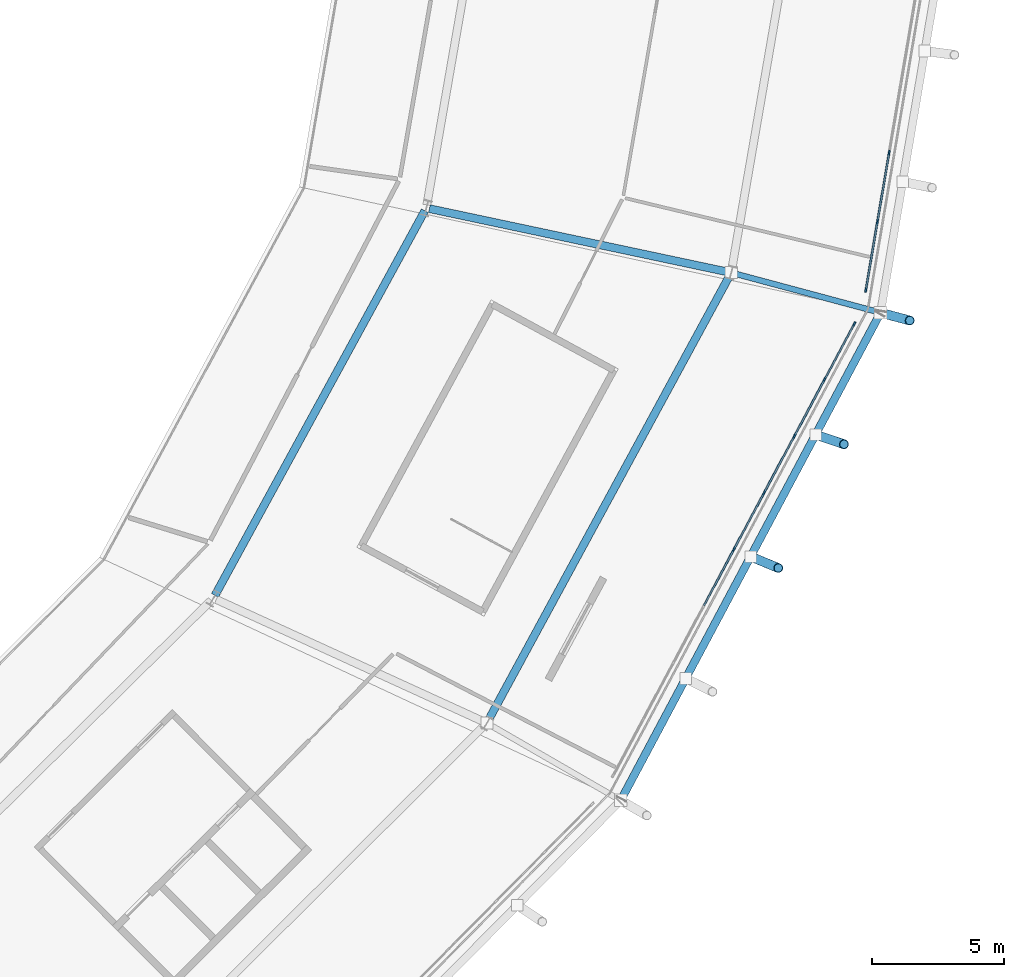
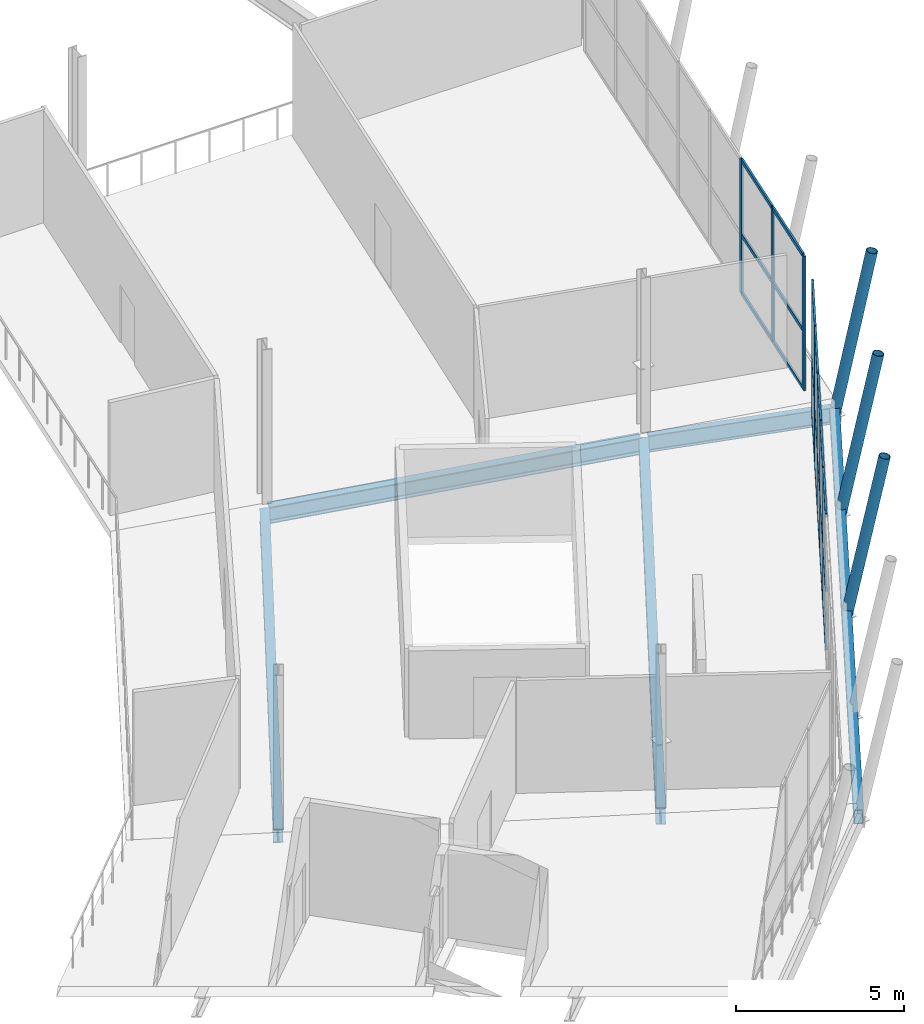
# One storey, part 37 of 99: 32 members, 5 beams, 2 elements without a shape of their own.
"""IFC4 building model written with IfcOpenShell, lengths in metres."""

import ifcopenshell
import ifcopenshell.guid

model = None  # the IFC model being written
_history = None  # IfcOwnerHistory: only IFC2X3 demands one
_inside = {}  # id of a spatial element -> (the spatial element, [elements in it])
_under = {}  # id of a project, library or spatial element -> (it, [spatial elements below it])
_declared = {}  # id of a project -> (the project, [libraries it declares])
_typed = {}  # id of a type object -> (the type object, [elements of that type])
_made_of = {}  # id of a material, layer set ... -> (it, [elements and type objects made of it])


def new_model(schema):
    """Start an empty IFC model of exactly this schema.

    Asked for "IFC4X3", IfcOpenShell would pick the latest addendum, in which some entities
    have other attributes; the version numbers below select the first issue.
    IFC2X3 requires an IfcOwnerHistory on every rooted entity: one is made here for all.
    """
    global model, _history
    if schema == "IFC4X3":
        model = ifcopenshell.file(schema_version=(4, 3, 0, 0))
    else:
        model = ifcopenshell.file(schema=schema)
    _inside.clear()
    _under.clear()
    _declared.clear()
    _typed.clear()
    _made_of.clear()
    _history = None
    if model.schema == "IFC2X3":
        org = make("IfcOrganization", Name="unknown")
        user = make(
            "IfcPersonAndOrganization",
            ThePerson=make("IfcPerson", FamilyName="unknown"),
            TheOrganization=org,
        )
        app = make(
            "IfcApplication",
            ApplicationDeveloper=org,
            Version="unknown",
            ApplicationFullName="unknown",
            ApplicationIdentifier="unknown",
        )
        _history = make(
            "IfcOwnerHistory",
            OwningUser=user,
            OwningApplication=app,
            ChangeAction="ADDED",
            CreationDate=0,
        )
    return model


def make(cls, **values):
    """One entity of the class cls with the attributes given. An attribute that is None is left unset."""
    return model.create_entity(
        cls, **{name: value for name, value in values.items() if value is not None}
    )


def rooted(cls, **values):
    """An entity with a GlobalId (a new one), such as an element, a storey or a relation."""
    return make(cls, GlobalId=ifcopenshell.guid.new(), OwnerHistory=_history, **values)


def si_unit(unit_type, name, prefix=None):
    """IfcSIUnit, for example si_unit("LENGTHUNIT", "METRE", prefix="MILLI")."""
    return make("IfcSIUnit", UnitType=unit_type, Prefix=prefix, Name=name)


def assignment(units):
    """IfcUnitAssignment: the units of a project."""
    return None if units is None else make("IfcUnitAssignment", Units=units)


def point(xyz):
    """IfcCartesianPoint."""
    return None if xyz is None else make("IfcCartesianPoint", Coordinates=xyz)


def direction(xyz):
    """IfcDirection."""
    return None if xyz is None else make("IfcDirection", DirectionRatios=xyz)


def frame(location, z_axis=None, x_axis=None):
    """IfcAxis2Placement3D, a coordinate frame: its origin and axes. An axis left out is left unset."""
    return make(
        "IfcAxis2Placement3D",
        Location=point(location),
        Axis=direction(z_axis),
        RefDirection=direction(x_axis),
    )


def frame_2d(location, x_axis=None):
    """IfcAxis2Placement2D, a coordinate frame in the plane: its origin and x axis."""
    return make(
        "IfcAxis2Placement2D", Location=point(location), RefDirection=direction(x_axis)
    )


def origin():
    """The frame at (0, 0, 0) with its axes left unset."""
    return frame((0.0, 0.0, 0.0))


def origin_2d():
    """The frame at (0, 0) in the plane with its x axis left unset."""
    return frame_2d((0.0, 0.0))


def place(relative_to, where):
    """IfcLocalPlacement: puts the frame where relative to a parent placement (None: the world)."""
    return make(
        "IfcLocalPlacement", PlacementRelTo=relative_to, RelativePlacement=where
    )


def context(
    kind, dimensions, precision=None, world=None, true_north=None, identifier=None
):
    """IfcGeometricRepresentationContext, for example the 3D "Model" context."""
    return make(
        "IfcGeometricRepresentationContext",
        ContextIdentifier=identifier,
        ContextType=kind,
        CoordinateSpaceDimension=dimensions,
        Precision=precision,
        WorldCoordinateSystem=world,
        TrueNorth=true_north,
    )


def subcontext(parent, identifier, kind, view, scale=None):
    """IfcGeometricRepresentationSubContext, for example "Body" below "Model"."""
    return make(
        "IfcGeometricRepresentationSubContext",
        ContextIdentifier=identifier,
        ContextType=kind,
        ParentContext=parent,
        TargetScale=scale,
        TargetView=view,
    )


def project(units=None, contexts=None):
    """IfcProject with its units and contexts."""
    return rooted(
        "IfcProject",
        Name="project",
        RepresentationContexts=contexts,
        UnitsInContext=assignment(units),
    )


def spatial(cls, under=None, at=None, **own):
    """A site, building, storey or space (cls), placed at a placement, below another one or the project."""
    s = rooted(cls, ObjectPlacement=at, **own)
    if under is not None:
        _under.setdefault(under.id(), (under, []))[1].append(s)
    return s


def profile(cls, at=None, kind="AREA", **sizes):
    """A parametric profile (cls). Its sizes go by their IFC names, for example OverallWidth=200.0."""
    return make(cls, ProfileType=kind, Position=at, **sizes)


def rectangle(**sizes):
    """IfcRectangleProfileDef."""
    return profile("IfcRectangleProfileDef", **sizes)


def hollow_rectangle(**sizes):
    """IfcRectangleHollowProfileDef."""
    return profile("IfcRectangleHollowProfileDef", **sizes)


def hollow_circle(**sizes):
    """IfcCircleHollowProfileDef."""
    return profile("IfcCircleHollowProfileDef", **sizes)


def i_section(**sizes):
    """IfcIShapeProfileDef."""
    return profile("IfcIShapeProfileDef", **sizes)


def extrude(swept, where, along, depth):
    """IfcExtrudedAreaSolid: the profile swept, set in the frame where, extruded along a direction by depth."""
    return make(
        "IfcExtrudedAreaSolid",
        SweptArea=swept,
        Position=where,
        ExtrudedDirection=direction(along),
        Depth=depth,
    )


def shape(context_of_items, identifier, shape_type, items):
    """IfcShapeRepresentation: the items that make up one representation, for example the "Body"."""
    return make(
        "IfcShapeRepresentation",
        ContextOfItems=context_of_items,
        RepresentationIdentifier=identifier,
        RepresentationType=shape_type,
        Items=items,
    )


def material(Name=None, Category=None):
    """IfcMaterial."""
    return make("IfcMaterial", Name=Name, Category=Category)


def material_profile(
    of_material, cross_section, Name=None, Category=None, Priority=None
):
    """IfcMaterialProfile: a cross section and its material."""
    return make(
        "IfcMaterialProfile",
        Name=Name,
        Material=of_material,
        Profile=cross_section,
        Priority=Priority,
        Category=Category,
    )


def profile_set(profiles, Name=None, composite=None):
    """IfcMaterialProfileSet."""
    return make(
        "IfcMaterialProfileSet",
        Name=Name,
        MaterialProfiles=profiles,
        CompositeProfile=composite,
    )


def made_of(thing, what):
    """Note that an element or type object is made of a material, layer set ...; save() writes the relation."""
    if what is not None:
        _made_of.setdefault(what.id(), (what, []))[1].append(thing)
    return thing


def type_object(cls, material=None, **own):
    """A type object (cls), such as IfcWallType, which elements share."""
    return made_of(rooted(cls, **own), material)


def element(
    cls,
    number,
    at=None,
    inside=None,
    cuts=None,
    type_object=None,
    material=None,
    context=None,
    identifier="Body",
    shape_type=None,
    held_by="IfcProductDefinitionShape",
    body=None,
    shapes=None,
    **own,
):
    """One element of the class cls, such as IfcWall. Its Tag is "e" and its number.

    at: its placement. inside: the storey or other place that contains it. cuts: it is an
    opening in that element (IfcRelVoidsElement). A single representation is given by context,
    identifier, shape_type and body (its items); several are given by shapes. held_by: the class
    of the entity that holds the representations. save() writes the other relations.
    """
    e = rooted(cls, Tag="e%d" % number, ObjectPlacement=at, **own)
    if body is not None:
        shapes = [shape(context, identifier, shape_type, body)]
    if shapes is not None:
        e.Representation = make(held_by, Representations=shapes)
    if inside is not None:
        _inside.setdefault(inside.id(), (inside, []))[1].append(e)
    if cuts is not None:
        rooted(
            "IfcRelVoidsElement", RelatingBuildingElement=cuts, RelatedOpeningElement=e
        )
    if type_object is not None:
        _typed.setdefault(type_object.id(), (type_object, []))[1].append(e)
    return made_of(e, material)


def aggregate(whole, parts):
    """IfcRelAggregates: a whole, such as a stair, and the parts it consists of."""
    return rooted("IfcRelAggregates", RelatingObject=whole, RelatedObjects=parts)


def save(model, path):
    """Write the relations noted so far, then the file.

    IfcRelAggregates (storeys below a building ...), IfcRelContainedInSpatialStructure (elements
    in a storey), IfcRelDefinesByType, IfcRelAssociatesMaterial and IfcRelDeclares: one each for
    every whole, place, type object, material and project.
    """
    for whole, parts in _under.values():
        aggregate(whole, parts)
    for where, things in _inside.values():
        rooted(
            "IfcRelContainedInSpatialStructure",
            RelatedElements=things,
            RelatingStructure=where,
        )
    for kind, things in _typed.values():
        rooted("IfcRelDefinesByType", RelatedObjects=things, RelatingType=kind)
    for what, things in _made_of.values():
        rooted("IfcRelAssociatesMaterial", RelatedObjects=things, RelatingMaterial=what)
    for by, libraries in _declared.values():
        rooted("IfcRelDeclares", RelatingContext=by, RelatedDefinitions=libraries)
    model.write(path)


model = new_model("IFC4")

# Units and contexts
model_context = context("Model", 3, precision=1e-05, world=origin(), true_north=direction((0.0, 1.0)))
body_context = subcontext(model_context, "Body", "Model", "MODEL_VIEW")
ifc_project = project(units=[si_unit("LENGTHUNIT", "METRE"), si_unit("AREAUNIT", "SQUARE_METRE"), si_unit("VOLUMEUNIT", "CUBIC_METRE"), si_unit("PLANEANGLEUNIT", "RADIAN"), si_unit("MASSUNIT", "GRAM", prefix="KILO")], contexts=[model_context])

# Site, building, storey
site_placement = place(None, origin())
site = spatial("IfcSite", under=ifc_project, at=site_placement, CompositionType="ELEMENT")
building_placement = place(site_placement, origin())
building = spatial("IfcBuilding", under=site, at=building_placement, Name="Zlatoyarsky Gate Stadium", CompositionType="ELEMENT")
storey_placement = place(building_placement, frame((0.0, 0.0, 26.199951171875)))
storey = spatial("IfcBuildingStorey", under=building, at=storey_placement, Name="L05", CompositionType="ELEMENT", Elevation=26.199951171875)

# Curtain wall, members
ifc_material_1 = material(Name="Thermally broken anodised aluminium curtain wall", Category="aluminium")
curtain_wall_type = type_object("IfcCurtainWallType", Name="UNITISED SKYBOX RING GLAZING L05", PredefinedType="USERDEFINED", material=ifc_material_1)
curtain_wall_1_placement = place(storey_placement, origin())
curtain_wall_1 = element("IfcCurtainWall", 1, at=curtain_wall_1_placement, inside=storey, type_object=curtain_wall_type, Name="Curtain wall CW-L05-22", ObjectType="UNITISED GLAZING", PredefinedType="USERDEFINED")
ifc_material_2 = material(Name="Anodised aluminium 6063-T6", Category="aluminium")
ifc_material_profile_1 = material_profile(ifc_material_2, rectangle(XDim=0.06494140625, YDim=0.159912109375, at=origin_2d()), Name="ALU 65X160")
ifc_profile_set_1 = profile_set([ifc_material_profile_1], Name="Anodised aluminium 6063-T6")
member_type_1 = type_object("IfcMemberType", Name="ALUMINIUM MULLION 65X160", PredefinedType="MULLION", material=ifc_profile_set_1)
member_1_placement = place(storey_placement, frame((200.9287109375, 51.097412109375, 0.0), z_axis=(0.0, 0.0, 1.0), x_axis=(-0.882167873962, 0.470935072117, 0.0)))
member_1 = element("IfcMember", 2, at=member_1_placement, type_object=member_type_1, Name="CW-UG5 mullion 5", PredefinedType="MULLION", context=body_context, shape_type="SweptSolid", body=[
    extrude(rectangle(XDim=0.06494140625, YDim=0.159912109375, at=origin_2d()), origin(), (0.0, 0.0, 1.0), 4.880126953125),
])
member_2_placement = place(storey_placement, frame((202.078125, 53.25048828125, 0.0), z_axis=(0.0, 0.0, 1.0), x_axis=(-0.882167873962, 0.470935072117, 0.0)))
member_2 = element("IfcMember", 3, at=member_2_placement, type_object=member_type_1, Name="CW-UG5 mullion 6", PredefinedType="MULLION", context=body_context, shape_type="SweptSolid", body=[
    extrude(rectangle(XDim=0.06494140625, YDim=0.159912109375, at=origin_2d()), origin(), (0.0, 0.0, 1.0), 4.880126953125),
])
member_3_placement = place(storey_placement, frame((203.227783203125, 55.40380859375, 0.0), z_axis=(0.0, 0.0, 1.0), x_axis=(-0.882167873962, 0.470935072117, 0.0)))
member_3 = element("IfcMember", 4, at=member_3_placement, type_object=member_type_1, Name="CW-UG5 mullion 7", PredefinedType="MULLION", context=body_context, shape_type="SweptSolid", body=[
    extrude(rectangle(XDim=0.06494140625, YDim=0.159912109375, at=origin_2d()), origin(), (0.0, 0.0, 1.0), 4.880126953125),
])
member_4_placement = place(storey_placement, frame((204.377197265625, 57.55712890625, 0.0), z_axis=(0.0, 0.0, 1.0), x_axis=(-0.882167873962, 0.470935072117, 0.0)))
member_4 = element("IfcMember", 5, at=member_4_placement, type_object=member_type_1, Name="CW-UG5 mullion 8", PredefinedType="MULLION", context=body_context, shape_type="SweptSolid", body=[
    extrude(rectangle(XDim=0.06494140625, YDim=0.159912109375, at=origin_2d()), origin(), (0.0, 0.0, 1.0), 4.880126953125),
])
member_5_placement = place(storey_placement, frame((205.511474609375, 59.681640625, 0.0), z_axis=(0.0, 0.0, 1.0), x_axis=(-0.882167873962, 0.470935072117, 0.0)))
member_5 = element("IfcMember", 6, at=member_5_placement, type_object=member_type_1, Name="CW-UG5 mullion 9", PredefinedType="MULLION", context=body_context, shape_type="SweptSolid", body=[
    extrude(rectangle(XDim=0.06494140625, YDim=0.159912109375, at=origin_2d()), origin(), (0.0, 0.0, 1.0), 4.880126953125),
])

curtain_wall_2_placement = place(storey_placement, origin())
curtain_wall_2 = element("IfcCurtainWall", 7, at=curtain_wall_2_placement, inside=storey, type_object=curtain_wall_type, Name="Curtain wall CW-L05-23", ObjectType="UNITISED GLAZING", PredefinedType="USERDEFINED")
member_6_placement = place(storey_placement, frame((205.947021484375, 60.95654296875, 0.0), z_axis=(0.0, 0.0, 1.0), x_axis=(-0.985908807049, 0.167283663824, 0.0)))
member_6 = element("IfcMember", 8, at=member_6_placement, type_object=member_type_1, Name="CW-UG5 mullion 1", PredefinedType="MULLION", context=body_context, shape_type="SweptSolid", body=[
    extrude(rectangle(XDim=0.06494140625, YDim=0.159912109375, at=origin_2d()), origin(), (0.0, 0.0, 1.0), 4.880126953125),
])
member_7_placement = place(storey_placement, frame((206.388427734375, 63.55810546875, 0.0), z_axis=(0.0, 0.0, 1.0), x_axis=(-0.985908807049, 0.167283663824, 0.0)))
member_7 = element("IfcMember", 9, at=member_7_placement, type_object=member_type_1, Name="CW-UG5 mullion 2", PredefinedType="MULLION", context=body_context, shape_type="SweptSolid", body=[
    extrude(rectangle(XDim=0.06494140625, YDim=0.159912109375, at=origin_2d()), origin(), (0.0, 0.0, 1.0), 4.880126953125),
])
member_8_placement = place(storey_placement, frame((206.835205078125, 66.191650390625, 0.0), z_axis=(0.0, 0.0, 1.0), x_axis=(-0.985908807049, 0.167283663824, 0.0)))
member_8 = element("IfcMember", 10, at=member_8_placement, type_object=member_type_1, Name="CW-UG5 mullion 3", PredefinedType="MULLION", context=body_context, shape_type="SweptSolid", body=[
    extrude(rectangle(XDim=0.06494140625, YDim=0.159912109375, at=origin_2d()), origin(), (0.0, 0.0, 1.0), 4.880126953125),
])

# Member
ifc_material_profile_2 = material_profile(ifc_material_2, rectangle(XDim=0.06494140625, YDim=0.139892578125, at=origin_2d()), Name="ALU 65X140")
ifc_profile_set_2 = profile_set([ifc_material_profile_2], Name="Anodised aluminium 6063-T6")
member_type_2 = type_object("IfcMemberType", Name="ALUMINIUM TRANSOM 65X140", PredefinedType="USERDEFINED", material=ifc_profile_set_2)
member_9_placement = place(storey_placement, frame((199.794677734375, 48.97265625, 0.032470703125), z_axis=(0.470854896859, 0.882210669911, 0.0), x_axis=(-0.882210669911, 0.470854896859, 0.0)))
member_9 = element("IfcMember", 11, at=member_9_placement, type_object=member_type_2, Name="CW-UG5 transom 4.1", ObjectType="TRANSOM", PredefinedType="USERDEFINED", context=body_context, shape_type="SweptSolid", body=[
    extrude(rectangle(XDim=0.06494140625, YDim=0.139892578125, at=origin_2d()), origin(), (0.0, 0.0, 1.0), 2.375732421875),
])

member_10_placement = place(storey_placement, frame((199.794677734375, 48.97265625, 2.150146484375), z_axis=(0.470854896859, 0.882210669911, 0.0), x_axis=(-0.882210669911, 0.470854896859, 0.0)))
member_10 = element("IfcMember", 12, at=member_10_placement, type_object=member_type_2, Name="CW-UG5 transom 4.2", ObjectType="TRANSOM", PredefinedType="USERDEFINED", context=body_context, shape_type="SweptSolid", body=[
    extrude(rectangle(XDim=0.06494140625, YDim=0.139892578125, at=origin_2d()), origin(), (0.0, 0.0, 1.0), 2.375732421875),
])

member_11_placement = place(storey_placement, frame((199.794677734375, 48.97265625, 4.84765625), z_axis=(0.470854896859, 0.882210669911, 0.0), x_axis=(-0.882210669911, 0.470854896859, 0.0)))
member_11 = element("IfcMember", 13, at=member_11_placement, type_object=member_type_2, Name="CW-UG5 transom 4.3", ObjectType="TRANSOM", PredefinedType="USERDEFINED", context=body_context, shape_type="SweptSolid", body=[
    extrude(rectangle(XDim=0.06494140625, YDim=0.139892578125, at=origin_2d()), origin(), (0.0, 0.0, 1.0), 2.375732421875),
])

member_12_placement = place(storey_placement, frame((200.944091796875, 51.1259765625, 0.032470703125), z_axis=(0.470934870173, 0.882167981767, 0.0), x_axis=(-0.882167981767, 0.470934870173, 0.0)))
member_12 = element("IfcMember", 14, at=member_12_placement, type_object=member_type_2, Name="CW-UG5 transom 5.1", ObjectType="TRANSOM", PredefinedType="USERDEFINED", context=body_context, shape_type="SweptSolid", body=[
    extrude(rectangle(XDim=0.06494140625, YDim=0.139892578125, at=origin_2d()), origin(), (0.0, 0.0, 1.0), 2.3759765625),
])

member_13_placement = place(storey_placement, frame((200.944091796875, 51.1259765625, 2.150146484375), z_axis=(0.470934870173, 0.882167981767, 0.0), x_axis=(-0.882167981767, 0.470934870173, 0.0)))
member_13 = element("IfcMember", 15, at=member_13_placement, type_object=member_type_2, Name="CW-UG5 transom 5.2", ObjectType="TRANSOM", PredefinedType="USERDEFINED", context=body_context, shape_type="SweptSolid", body=[
    extrude(rectangle(XDim=0.06494140625, YDim=0.139892578125, at=origin_2d()), origin(), (0.0, 0.0, 1.0), 2.3759765625),
])

member_14_placement = place(storey_placement, frame((200.944091796875, 51.1259765625, 4.84765625), z_axis=(0.470934870173, 0.882167981767, 0.0), x_axis=(-0.882167981767, 0.470934870173, 0.0)))
member_14 = element("IfcMember", 16, at=member_14_placement, type_object=member_type_2, Name="CW-UG5 transom 5.3", ObjectType="TRANSOM", PredefinedType="USERDEFINED", context=body_context, shape_type="SweptSolid", body=[
    extrude(rectangle(XDim=0.06494140625, YDim=0.139892578125, at=origin_2d()), origin(), (0.0, 0.0, 1.0), 2.3759765625),
])

member_15_placement = place(storey_placement, frame((202.093505859375, 53.279296875, 0.032470703125), z_axis=(0.470934870173, 0.882167981767, 0.0), x_axis=(-0.882167981767, 0.470934870173, 0.0)))
member_15 = element("IfcMember", 17, at=member_15_placement, type_object=member_type_2, Name="CW-UG5 transom 6.1", ObjectType="TRANSOM", PredefinedType="USERDEFINED", context=body_context, shape_type="SweptSolid", body=[
    extrude(rectangle(XDim=0.06494140625, YDim=0.139892578125, at=origin_2d()), origin(), (0.0, 0.0, 1.0), 2.3759765625),
])

member_16_placement = place(storey_placement, frame((202.093505859375, 53.279296875, 2.150146484375), z_axis=(0.470934870173, 0.882167981767, 0.0), x_axis=(-0.882167981767, 0.470934870173, 0.0)))
member_16 = element("IfcMember", 18, at=member_16_placement, type_object=member_type_2, Name="CW-UG5 transom 6.2", ObjectType="TRANSOM", PredefinedType="USERDEFINED", context=body_context, shape_type="SweptSolid", body=[
    extrude(rectangle(XDim=0.06494140625, YDim=0.139892578125, at=origin_2d()), origin(), (0.0, 0.0, 1.0), 2.3759765625),
])

member_17_placement = place(storey_placement, frame((202.093505859375, 53.279296875, 4.84765625), z_axis=(0.470934870173, 0.882167981767, 0.0), x_axis=(-0.882167981767, 0.470934870173, 0.0)))
member_17 = element("IfcMember", 19, at=member_17_placement, type_object=member_type_2, Name="CW-UG5 transom 6.3", ObjectType="TRANSOM", PredefinedType="USERDEFINED", context=body_context, shape_type="SweptSolid", body=[
    extrude(rectangle(XDim=0.06494140625, YDim=0.139892578125, at=origin_2d()), origin(), (0.0, 0.0, 1.0), 2.3759765625),
])

member_18_placement = place(storey_placement, frame((203.242919921875, 55.432373046875, 0.032470703125), z_axis=(0.470934870173, 0.882167981767, 0.0), x_axis=(-0.882167981767, 0.470934870173, 0.0)))
member_18 = element("IfcMember", 20, at=member_18_placement, type_object=member_type_2, Name="CW-UG5 transom 7.1", ObjectType="TRANSOM", PredefinedType="USERDEFINED", context=body_context, shape_type="SweptSolid", body=[
    extrude(rectangle(XDim=0.06494140625, YDim=0.139892578125, at=origin_2d()), origin(), (0.0, 0.0, 1.0), 2.3759765625),
])

member_19_placement = place(storey_placement, frame((203.242919921875, 55.432373046875, 2.150146484375), z_axis=(0.470934870173, 0.882167981767, 0.0), x_axis=(-0.882167981767, 0.470934870173, 0.0)))
member_19 = element("IfcMember", 21, at=member_19_placement, type_object=member_type_2, Name="CW-UG5 transom 7.2", ObjectType="TRANSOM", PredefinedType="USERDEFINED", context=body_context, shape_type="SweptSolid", body=[
    extrude(rectangle(XDim=0.06494140625, YDim=0.139892578125, at=origin_2d()), origin(), (0.0, 0.0, 1.0), 2.3759765625),
])

member_20_placement = place(storey_placement, frame((203.242919921875, 55.432373046875, 4.84765625), z_axis=(0.470934870173, 0.882167981767, 0.0), x_axis=(-0.882167981767, 0.470934870173, 0.0)))
member_20 = element("IfcMember", 22, at=member_20_placement, type_object=member_type_2, Name="CW-UG5 transom 7.3", ObjectType="TRANSOM", PredefinedType="USERDEFINED", context=body_context, shape_type="SweptSolid", body=[
    extrude(rectangle(XDim=0.06494140625, YDim=0.139892578125, at=origin_2d()), origin(), (0.0, 0.0, 1.0), 2.3759765625),
])

member_21_placement = place(storey_placement, frame((204.392578125, 57.585693359375, 0.032470703125), z_axis=(0.47089101284, 0.882191393081, 0.0), x_axis=(-0.882191393081, 0.47089101284, 0.0)))
member_21 = element("IfcMember", 23, at=member_21_placement, type_object=member_type_2, Name="CW-UG5 transom 8.1", ObjectType="TRANSOM", PredefinedType="USERDEFINED", context=body_context, shape_type="SweptSolid", body=[
    extrude(rectangle(XDim=0.06494140625, YDim=0.139892578125, at=origin_2d()), origin(), (0.0, 0.0, 1.0), 2.343505859375),
])

member_22_placement = place(storey_placement, frame((204.392578125, 57.585693359375, 2.150146484375), z_axis=(0.47089101284, 0.882191393081, 0.0), x_axis=(-0.882191393081, 0.47089101284, 0.0)))
member_22 = element("IfcMember", 24, at=member_22_placement, type_object=member_type_2, Name="CW-UG5 transom 8.2", ObjectType="TRANSOM", PredefinedType="USERDEFINED", context=body_context, shape_type="SweptSolid", body=[
    extrude(rectangle(XDim=0.06494140625, YDim=0.139892578125, at=origin_2d()), origin(), (0.0, 0.0, 1.0), 2.343505859375),
])

member_23_placement = place(storey_placement, frame((204.392578125, 57.585693359375, 4.84765625), z_axis=(0.47089101284, 0.882191393081, 0.0), x_axis=(-0.882191393081, 0.47089101284, 0.0)))
member_23 = element("IfcMember", 25, at=member_23_placement, type_object=member_type_2, Name="CW-UG5 transom 8.3", ObjectType="TRANSOM", PredefinedType="USERDEFINED", context=body_context, shape_type="SweptSolid", body=[
    extrude(rectangle(XDim=0.06494140625, YDim=0.139892578125, at=origin_2d()), origin(), (0.0, 0.0, 1.0), 2.343505859375),
])

aggregate(curtain_wall_1, [member_1, member_2, member_3, member_4, member_5, member_9, member_10, member_11, member_12, member_13, member_14, member_15, member_16, member_17, member_18, member_19, member_20, member_21, member_22, member_23])

member_24_placement = place(storey_placement, frame((205.952392578125, 60.988525390625, 0.032470703125), z_axis=(0.167244205598, 0.985915501295, 0.0), x_axis=(-0.985915501295, 0.167244205598, 0.0)))
member_24 = element("IfcMember", 26, at=member_24_placement, type_object=member_type_2, Name="CW-UG5 transom 1.1", ObjectType="TRANSOM", PredefinedType="USERDEFINED", context=body_context, shape_type="SweptSolid", body=[
    extrude(rectangle(XDim=0.06494140625, YDim=0.139892578125, at=origin_2d()), origin(), (0.0, 0.0, 1.0), 2.573486328125),
])

member_25_placement = place(storey_placement, frame((205.952392578125, 60.988525390625, 2.150146484375), z_axis=(0.167244205598, 0.985915501295, 0.0), x_axis=(-0.985915501295, 0.167244205598, 0.0)))
member_25 = element("IfcMember", 27, at=member_25_placement, type_object=member_type_2, Name="CW-UG5 transom 1.2", ObjectType="TRANSOM", PredefinedType="USERDEFINED", context=body_context, shape_type="SweptSolid", body=[
    extrude(rectangle(XDim=0.06494140625, YDim=0.139892578125, at=origin_2d()), origin(), (0.0, 0.0, 1.0), 2.573486328125),
])

member_26_placement = place(storey_placement, frame((205.952392578125, 60.988525390625, 4.84765625), z_axis=(0.167244205598, 0.985915501295, 0.0), x_axis=(-0.985915501295, 0.167244205598, 0.0)))
member_26 = element("IfcMember", 28, at=member_26_placement, type_object=member_type_2, Name="CW-UG5 transom 1.3", ObjectType="TRANSOM", PredefinedType="USERDEFINED", context=body_context, shape_type="SweptSolid", body=[
    extrude(rectangle(XDim=0.06494140625, YDim=0.139892578125, at=origin_2d()), origin(), (0.0, 0.0, 1.0), 2.573486328125),
])

member_27_placement = place(storey_placement, frame((206.393798828125, 63.590087890625, 0.032470703125), z_axis=(0.167315052867, 0.985903480613, 0.0), x_axis=(-0.985903480613, 0.167315052867, 0.0)))
member_27 = element("IfcMember", 29, at=member_27_placement, type_object=member_type_2, Name="CW-UG5 transom 2.1", ObjectType="TRANSOM", PredefinedType="USERDEFINED", context=body_context, shape_type="SweptSolid", body=[
    extrude(rectangle(XDim=0.06494140625, YDim=0.139892578125, at=origin_2d()), origin(), (0.0, 0.0, 1.0), 2.60595703125),
])

member_28_placement = place(storey_placement, frame((206.393798828125, 63.590087890625, 2.150146484375), z_axis=(0.167315052867, 0.985903480613, 0.0), x_axis=(-0.985903480613, 0.167315052867, 0.0)))
member_28 = element("IfcMember", 30, at=member_28_placement, type_object=member_type_2, Name="CW-UG5 transom 2.2", ObjectType="TRANSOM", PredefinedType="USERDEFINED", context=body_context, shape_type="SweptSolid", body=[
    extrude(rectangle(XDim=0.06494140625, YDim=0.139892578125, at=origin_2d()), origin(), (0.0, 0.0, 1.0), 2.60595703125),
])

member_29_placement = place(storey_placement, frame((206.393798828125, 63.590087890625, 4.84765625), z_axis=(0.167315052867, 0.985903480613, 0.0), x_axis=(-0.985903480613, 0.167315052867, 0.0)))
member_29 = element("IfcMember", 31, at=member_29_placement, type_object=member_type_2, Name="CW-UG5 transom 2.3", ObjectType="TRANSOM", PredefinedType="USERDEFINED", context=body_context, shape_type="SweptSolid", body=[
    extrude(rectangle(XDim=0.06494140625, YDim=0.139892578125, at=origin_2d()), origin(), (0.0, 0.0, 1.0), 2.60595703125),
])

aggregate(curtain_wall_2, [member_6, member_7, member_8, member_24, member_25, member_26, member_27, member_28, member_29])

# Beam
ifc_material_3 = material(Name="Steel S355", Category="steel")
ifc_material_profile_3 = material_profile(ifc_material_3, i_section(OverallWidth=0.219970703125, OverallDepth=0.60009765625, WebThickness=0.011962890625, FlangeThickness=0.01904296875, FilletRadius=0.02392578125, at=origin_2d()), Name="IPE 600")
ifc_profile_set_3 = profile_set([ifc_material_profile_3], Name="Steel S355")
beam_type_1 = type_object("IfcBeamType", Name="STEEL CANTILEVER FLOOR BEAM IPE 600", PredefinedType="BEAM", material=ifc_profile_set_3)
beam_1_placement = place(storey_placement, frame((200.947021484375, 61.5927734375, -0.56005859375), z_axis=(0.965927422152, -0.258813089189, 0.0), x_axis=(0.258813089189, 0.965927422152, 0.0)))
element("IfcBeam", 32, at=beam_1_placement, inside=storey, type_object=beam_type_1, Name="Beam B-IPE600 BM-L05-OUT-23", PredefinedType="BEAM", context=body_context, shape_type="SweptSolid", body=[
    extrude(i_section(OverallWidth=0.219970703125, OverallDepth=0.60009765625, WebThickness=0.011962890625, FlangeThickness=0.01904296875, FilletRadius=0.02392578125, at=origin_2d()), origin(), (0.0, 0.0, 1.0), 5.758056640625),
])

# Members
ifc_material_profile_4 = material_profile(ifc_material_3, hollow_circle(Radius=0.177734375, WallThickness=0.02001953125, at=origin_2d()), Name="CHS 355.6X20")
ifc_profile_set_4 = profile_set([ifc_material_profile_4], Name="Steel S355")
member_type_3 = type_object("IfcMemberType", Name="STEEL LEANING RIB RING STRUT CHS 355.6X20", PredefinedType="STRUT", material=ifc_profile_set_4)
member_30_placement = place(storey_placement, frame((201.56982421875, 50.831787109375, -0.510009765625), z_axis=(0.182372642512, -0.075562233287, 0.980321665661), x_axis=(0.382774280043, 0.923841896938, 0.0)))
element("IfcMember", 33, at=member_30_placement, inside=storey, type_object=member_type_3, Name="Outward-leaning bowl louvre fin rib L05 22-2", PredefinedType="STRUT", context=body_context, shape_type="SweptSolid", body=[
    extrude(hollow_circle(Radius=0.177734375, WallThickness=0.02001953125, at=origin_2d()), origin(), (0.0, 0.0, 1.0), 5.773681640625),
])
member_31_placement = place(storey_placement, frame((204.039306640625, 55.467041015625, -0.510009765625), z_axis=(0.18734638797, -0.063505816911, 0.980238920944), x_axis=(0.32103278258, 0.947068082299, 0.0)))
element("IfcMember", 34, at=member_31_placement, inside=storey, type_object=member_type_3, Name="Outward-leaning bowl louvre fin rib L05 22-3", PredefinedType="STRUT", context=body_context, shape_type="SweptSolid", body=[
    extrude(hollow_circle(Radius=0.177734375, WallThickness=0.02001953125, at=origin_2d()), origin(), (0.0, 0.0, 1.0), 5.774169921875),
])
member_32_placement = place(storey_placement, frame((206.5087890625, 60.1025390625, -0.56005859375), z_axis=(0.190625969034, -0.051093460038, 0.980332187716), x_axis=(0.258891781195, 0.965906333777, 0.0)))
element("IfcMember", 35, at=member_32_placement, inside=storey, type_object=member_type_3, Name="Upper leaning rib ring strut 23", PredefinedType="STRUT", context=body_context, shape_type="SweptSolid", body=[
    extrude(hollow_circle(Radius=0.177734375, WallThickness=0.02001953125, at=origin_2d()), origin(), (0.0, 0.0, 1.0), 5.82470703125),
])

# Beams
ifc_material_profile_5 = material_profile(ifc_material_3, hollow_rectangle(XDim=0.300048828125, YDim=0.5, WallThickness=0.02001953125, at=origin_2d()), Name="RHS 500X300X20")
ifc_profile_set_5 = profile_set([ifc_material_profile_5], Name="Steel S355")
beam_type_2 = type_object("IfcBeamType", Name="STEEL LOUVRE CARRIER SPANDREL RHS 500X300X20", PredefinedType="SPANDREL", material=ifc_profile_set_5)
beam_2_placement = place(storey_placement, frame((196.640380859375, 41.57861328125, -0.510009765625), z_axis=(0.470187523568, 0.882566537254, 0.0), x_axis=(-0.882566537254, 0.470187523568, 0.0)))
element("IfcBeam", 36, at=beam_2_placement, inside=storey, type_object=beam_type_2, Name="Beam SP-RHS500 BM-L05-SPD-22", PredefinedType="SPANDREL", context=body_context, shape_type="SweptSolid", body=[
    extrude(hollow_rectangle(XDim=0.300048828125, YDim=0.5, WallThickness=0.02001953125, at=origin_2d()), origin(), (0.0, 0.0, 1.0), 20.968505859375),
])
ifc_material_profile_6 = material_profile(ifc_material_3, i_section(OverallWidth=0.300048828125, OverallDepth=0.5, WebThickness=0.014404296875, FlangeThickness=0.028076171875, FilletRadius=0.027099609375, at=origin_2d()), Name="HEB 500")
ifc_profile_set_6 = profile_set([ifc_material_profile_6], Name="Steel S355")
beam_type_3 = type_object("IfcBeamType", Name="STEEL PRIMARY GIRDER HEB 500", PredefinedType="BEAM", material=ifc_profile_set_6)
beam_3_placement = place(storey_placement, frame((181.20556640625, 49.355224609375, -0.510009765625), z_axis=(0.478915800408, 0.877860840976, 0.0), x_axis=(-0.877860840976, 0.478915800408, 0.0)))
element("IfcBeam", 37, at=beam_3_placement, inside=storey, type_object=beam_type_3, Name="Beam G-HEB500 BM-L05-CRB-22", PredefinedType="BEAM", context=body_context, shape_type="SweptSolid", body=[
    extrude(i_section(OverallWidth=0.300048828125, OverallDepth=0.5, WebThickness=0.014404296875, FlangeThickness=0.028076171875, FilletRadius=0.027099609375, at=origin_2d()), origin(), (0.0, 0.0, 1.0), 16.656494140625),
])
ifc_material_profile_7 = material_profile(ifc_material_3, i_section(OverallWidth=0.300048828125, OverallDepth=0.60009765625, WebThickness=0.015380859375, FlangeThickness=0.030029296875, FilletRadius=0.027099609375, at=origin_2d()), Name="HEB 600")
ifc_profile_set_7 = profile_set([ifc_material_profile_7], Name="Steel S355")
beam_type_4 = type_object("IfcBeamType", Name="STEEL PRIMARY GIRDER HEB 600", PredefinedType="BEAM", material=ifc_profile_set_7)
beam_4_placement = place(storey_placement, frame((191.59765625, 44.60546875, -0.56005859375), z_axis=(0.476891650323, 0.878962088973, 0.0), x_axis=(-0.878962088973, 0.476891650323, 0.0)))
element("IfcBeam", 38, at=beam_4_placement, inside=storey, type_object=beam_type_4, Name="Beam G-HEB600 BM-L05-CRC-22", PredefinedType="BEAM", context=body_context, shape_type="SweptSolid", body=[
    extrude(i_section(OverallWidth=0.300048828125, OverallDepth=0.60009765625, WebThickness=0.015380859375, FlangeThickness=0.030029296875, FilletRadius=0.027099609375, at=origin_2d()), origin(), (0.0, 0.0, 1.0), 19.241943359375),
])
beam_5_placement = place(storey_placement, frame((189.357421875, 64.0576171875, -0.56005859375), z_axis=(0.978233348926, -0.207507867438, 0.0), x_axis=(0.207507867438, 0.978233348926, 0.0)))
element("IfcBeam", 39, at=beam_5_placement, inside=storey, type_object=beam_type_4, Name="Beam G-HEB600 BM-L05-RBC-23", PredefinedType="BEAM", context=body_context, shape_type="SweptSolid", body=[
    extrude(i_section(OverallWidth=0.300048828125, OverallDepth=0.60009765625, WebThickness=0.015380859375, FlangeThickness=0.030029296875, FilletRadius=0.027099609375, at=origin_2d()), origin(), (0.0, 0.0, 1.0), 11.60888671875),
])

save(model, "model.ifc")
